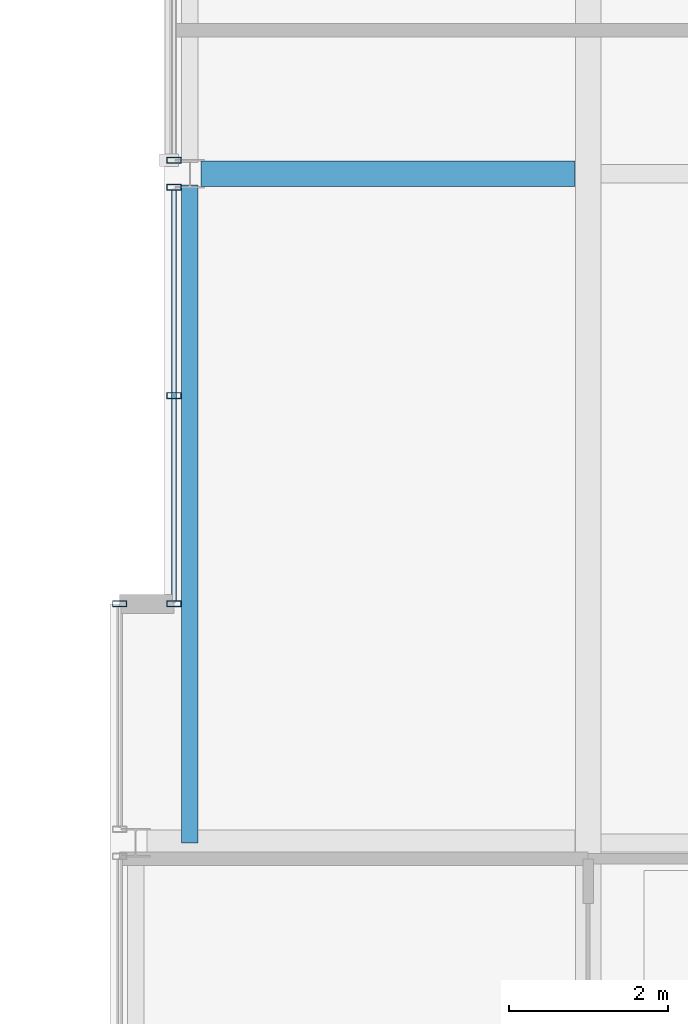
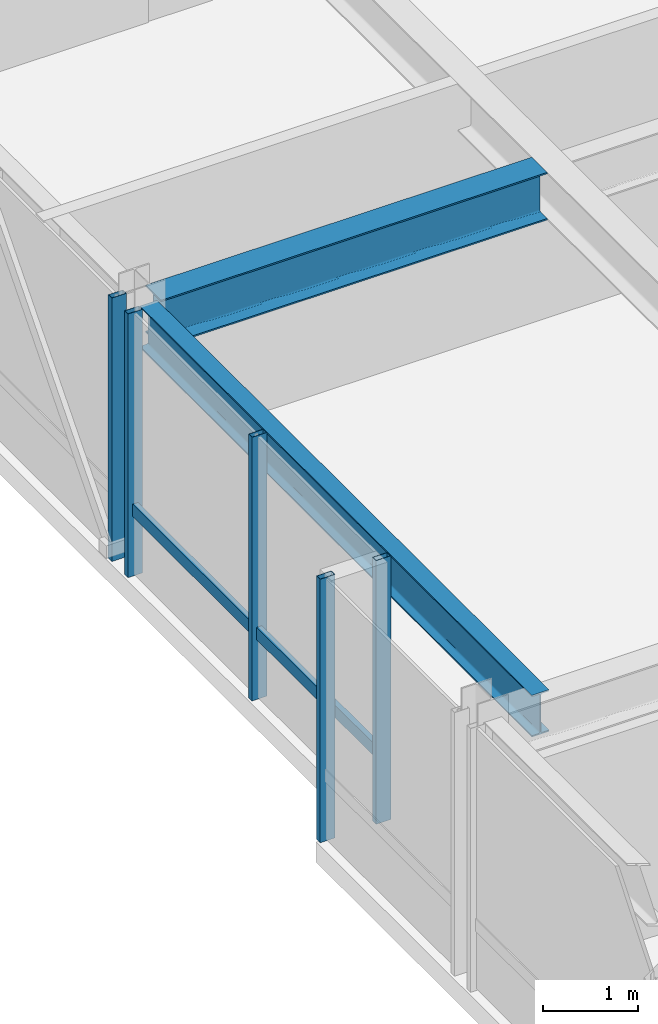
# One storey, part 11 of 33: 6 members, 2 beams, 3 elements without a shape of their own.
"""IFC4 building model written with IfcOpenShell, lengths in metres."""

from ifc_helpers import new_model, si_unit, direction, frame, origin, origin_2d, place, context, subcontext, project, spatial, hollow_rectangle, i_section, extrude, material, layer, layer_set, material_profile, profile_set, type_object, element, aggregate, save


model = new_model("IFC4")

# Units and contexts
model_context = context("Model", 3, precision=1e-05, world=origin(), true_north=direction((0.0, 1.0)))
body_context = subcontext(model_context, "Body", "Model", "MODEL_VIEW")
ifc_project = project(units=[si_unit("LENGTHUNIT", "METRE"), si_unit("AREAUNIT", "SQUARE_METRE"), si_unit("VOLUMEUNIT", "CUBIC_METRE"), si_unit("PLANEANGLEUNIT", "RADIAN"), si_unit("MASSUNIT", "GRAM", prefix="KILO")], contexts=[model_context])

# Site, building, storey
site_placement = place(None, origin())
site = spatial("IfcSite", under=ifc_project, at=site_placement, CompositionType="ELEMENT")
building_placement = place(site_placement, origin())
building = spatial("IfcBuilding", under=site, at=building_placement, Name="Drelvath Grand Hotel", CompositionType="ELEMENT")
storey_placement = place(building_placement, frame((0.0, 0.0, 279.60009765625)))
storey = spatial("IfcBuildingStorey", under=building, at=storey_placement, Name="L73", CompositionType="ELEMENT", Elevation=279.60009765625)

# Curtain wall, member
ifc_material_1 = material(Name="Platinum-Mist Anodised Aluminium Frame", Category="aluminium")
ifc_layer = layer(ifc_material_1, 0.199951171875)
ifc_layer_set = layer_set([ifc_layer], Name="Platinum-Mist Anodised Aluminium Frame")
curtain_wall_type = type_object("IfcCurtainWallType", Name="Stick Curtain Wall CW-05 Platinum Mist High-Rise", PredefinedType="NOTDEFINED", material=ifc_layer_set)
curtain_wall_1_placement = place(storey_placement, origin())
curtain_wall_1 = element("IfcCurtainWall", 1, at=curtain_wall_1_placement, inside=storey, type_object=curtain_wall_type, Name="L73 CW-05 Curtain Wall CW05-L73-WM1", PredefinedType="NOTDEFINED")
ifc_material_profile_1 = material_profile(ifc_material_1, hollow_rectangle(XDim=0.06494140625, YDim=0.159912109375, WallThickness=0.00390625, at=origin_2d()), Name="HSS160X65X4")
ifc_profile_set_1 = profile_set([ifc_material_profile_1], Name="Platinum-Mist Anodised Aluminium Frame")
member_type_1 = type_object("IfcMemberType", Name="Curtain Wall Horizontal Transom CW-05 HSS160X65X4", PredefinedType="USERDEFINED", material=ifc_profile_set_1)
member_1_placement = place(storey_placement, frame((-21.39990234375, 21.639892578125, 0.847412109375), z_axis=(0.0, 1.0, 0.0), x_axis=(-1.0, 0.0, 0.0)))
member_1 = element("IfcMember", 2, at=member_1_placement, type_object=member_type_1, Name="CW05-L73-WM1 Sill Transom", ObjectType="TRANSOM", PredefinedType="USERDEFINED", context=body_context, shape_type="SweptSolid", body=[
    extrude(hollow_rectangle(XDim=0.06494140625, YDim=0.159912109375, WallThickness=0.00390625, at=origin_2d()), origin(), (0.0, 0.0, 1.0), 5.150146484375),
])

curtain_wall_2_placement = place(storey_placement, origin())
curtain_wall_2 = element("IfcCurtainWall", 3, at=curtain_wall_2_placement, inside=storey, type_object=curtain_wall_type, Name="L73 CW-05 Curtain Wall CW05-L73-WS2", PredefinedType="NOTDEFINED")
ifc_material_profile_2 = material_profile(ifc_material_1, hollow_rectangle(XDim=0.074951171875, YDim=0.179931640625, WallThickness=0.0048828125, at=origin_2d()), Name="HSS180X75X5")
ifc_profile_set_2 = profile_set([ifc_material_profile_2], Name="Platinum-Mist Anodised Aluminium Frame")
member_type_2 = type_object("IfcMemberType", Name="Curtain Wall Vertical Mullion CW-05 HSS180X75X5", PredefinedType="MULLION", material=ifc_profile_set_2)
member_2_placement = place(storey_placement, frame((-22.080078125, 21.60009765625, 0.0), z_axis=(0.0, 0.0, 1.0), x_axis=(0.0, 1.0, 0.0)))
member_2 = element("IfcMember", 4, at=member_2_placement, type_object=member_type_2, Name="CW05-L73-WS2 Mullion 2", PredefinedType="MULLION", context=body_context, shape_type="SweptSolid", body=[
    extrude(hollow_rectangle(XDim=0.074951171875, YDim=0.179931640625, WallThickness=0.0048828125, at=origin_2d()), origin(), (0.0, 0.0, 1.0), 3.389892578125),
])
aggregate(curtain_wall_2, [member_2])

# Member
member_3_placement = place(storey_placement, frame((-21.39990234375, 21.60009765625, 0.0), z_axis=(0.0, 0.0, 1.0), x_axis=(0.0, 1.0, 0.0)))
member_3 = element("IfcMember", 5, at=member_3_placement, type_object=member_type_2, Name="CW05-L73-WM1 Mullion 1", PredefinedType="MULLION", context=body_context, shape_type="SweptSolid", body=[
    extrude(hollow_rectangle(XDim=0.074951171875, YDim=0.179931640625, WallThickness=0.0048828125, at=origin_2d()), origin(), (0.0, 0.0, 1.0), 3.389892578125),
])

member_4_placement = place(storey_placement, frame((-21.39990234375, 24.215087890625, 0.0), z_axis=(0.0, 0.0, 1.0), x_axis=(0.0, 1.0, 0.0)))
member_4 = element("IfcMember", 6, at=member_4_placement, type_object=member_type_2, Name="CW05-L73-WM1 Mullion 2", PredefinedType="MULLION", context=body_context, shape_type="SweptSolid", body=[
    extrude(hollow_rectangle(XDim=0.074951171875, YDim=0.179931640625, WallThickness=0.0048828125, at=origin_2d()), origin(), (0.0, 0.0, 1.0), 3.389892578125),
])

member_5_placement = place(storey_placement, frame((-21.39990234375, 26.830078125, 0.0), z_axis=(0.0, 0.0, 1.0), x_axis=(0.0, 1.0, 0.0)))
member_5 = element("IfcMember", 7, at=member_5_placement, type_object=member_type_2, Name="CW05-L73-WM1 Mullion 3", PredefinedType="MULLION", context=body_context, shape_type="SweptSolid", body=[
    extrude(hollow_rectangle(XDim=0.074951171875, YDim=0.179931640625, WallThickness=0.0048828125, at=origin_2d()), origin(), (0.0, 0.0, 1.0), 3.389892578125),
])

aggregate(curtain_wall_1, [member_3, member_4, member_5, member_1])

# Curtain wall, member
curtain_wall_3_placement = place(storey_placement, origin())
curtain_wall_3 = element("IfcCurtainWall", 8, at=curtain_wall_3_placement, inside=storey, type_object=curtain_wall_type, Name="L73 CW-05 Curtain Wall CW05-L73-WM2", PredefinedType="NOTDEFINED")
member_6_placement = place(storey_placement, frame((-21.39990234375, 27.169921875, 0.0), z_axis=(0.0, 0.0, 1.0), x_axis=(0.0, 1.0, 0.0)))
member_6 = element("IfcMember", 9, at=member_6_placement, type_object=member_type_2, Name="CW05-L73-WM2 Mullion 1", PredefinedType="MULLION", context=body_context, shape_type="SweptSolid", body=[
    extrude(hollow_rectangle(XDim=0.074951171875, YDim=0.179931640625, WallThickness=0.0048828125, at=origin_2d()), origin(), (0.0, 0.0, 1.0), 3.389892578125),
])
aggregate(curtain_wall_3, [member_6])

# Beams
ifc_material_2 = material(Name="Steel ASTM A992 Gr 50", Category="steel")
ifc_material_profile_3 = material_profile(ifc_material_2, i_section(OverallWidth=0.210205078125, OverallDepth=0.53662109375, WebThickness=0.010986328125, FlangeThickness=0.017333984375, FilletRadius=0.01806640625, at=origin_2d()), Name="W21X68")
ifc_profile_set_3 = profile_set([ifc_material_profile_3], Name="Steel ASTM A992 Gr 50")
beam_type_1 = type_object("IfcBeamType", Name="Perimeter Spandrel Beam W21X68", PredefinedType="SPANDREL", material=ifc_profile_set_3)
beam_1_placement = place(storey_placement, frame((-21.199951171875, 18.60009765625, 3.12158203125), z_axis=(0.0, 1.0, 0.0), x_axis=(-1.0, 0.0, 0.0)))
element("IfcBeam", 10, at=beam_1_placement, inside=storey, type_object=beam_type_1, Name="L73 Spandrel West Mid S", PredefinedType="SPANDREL", context=body_context, shape_type="SweptSolid", body=[
    extrude(i_section(OverallWidth=0.210205078125, OverallDepth=0.53662109375, WebThickness=0.010986328125, FlangeThickness=0.017333984375, FilletRadius=0.01806640625, at=origin_2d()), origin(), (0.0, 0.0, 1.0), 8.260009765625),
])
ifc_material_profile_4 = material_profile(ifc_material_2, i_section(OverallWidth=0.323974609375, OverallDepth=0.611083984375, WebThickness=0.0126953125, FlangeThickness=0.01904296875, FilletRadius=0.02197265625, at=origin_2d()), Name="W24X104")
ifc_profile_set_4 = profile_set([ifc_material_profile_4], Name="Steel ASTM A992 Gr 50")
beam_type_2 = type_object("IfcBeamType", Name="Primary Floor Girder W24X104", PredefinedType="BEAM", material=ifc_profile_set_4)
beam_2_placement = place(storey_placement, frame((-21.06005859375, 27.0, 3.08447265625), z_axis=(1.0, 0.0, 0.0), x_axis=(0.0, 1.0, 0.0)))
element("IfcBeam", 11, at=beam_2_placement, inside=storey, type_object=beam_type_2, Name="L73 West Wing Girder E", PredefinedType="BEAM", context=body_context, shape_type="SweptSolid", body=[
    extrude(i_section(OverallWidth=0.323974609375, OverallDepth=0.611083984375, WebThickness=0.0126953125, FlangeThickness=0.01904296875, FilletRadius=0.02197265625, at=origin_2d()), origin(), (0.0, 0.0, 1.0), 4.697998046875),
])

save(model, "model.ifc")
